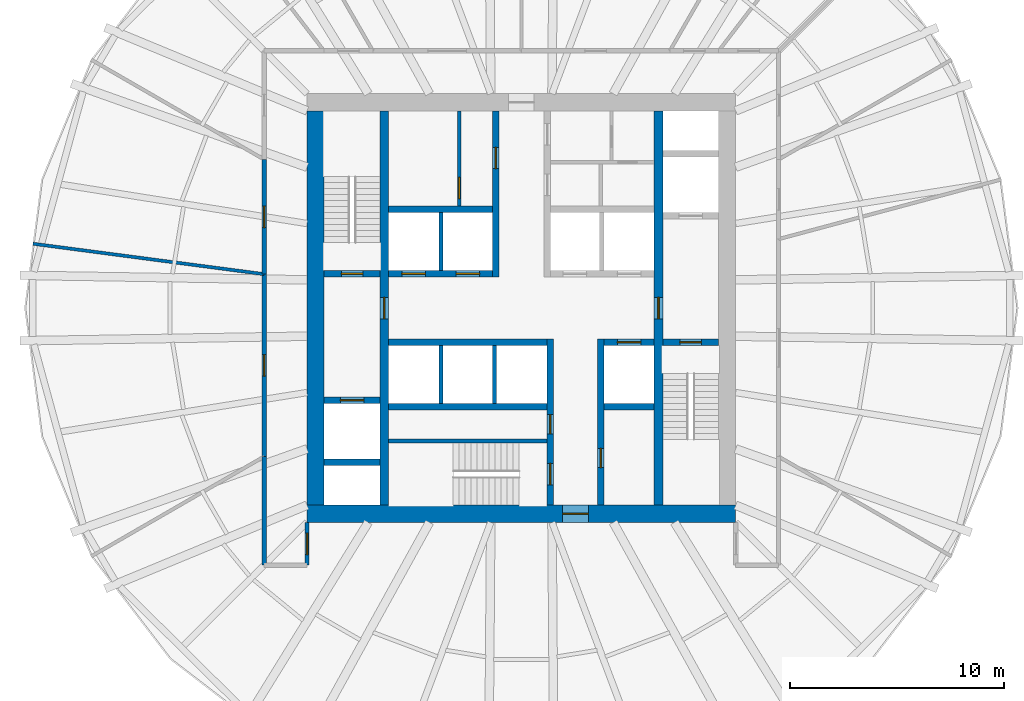
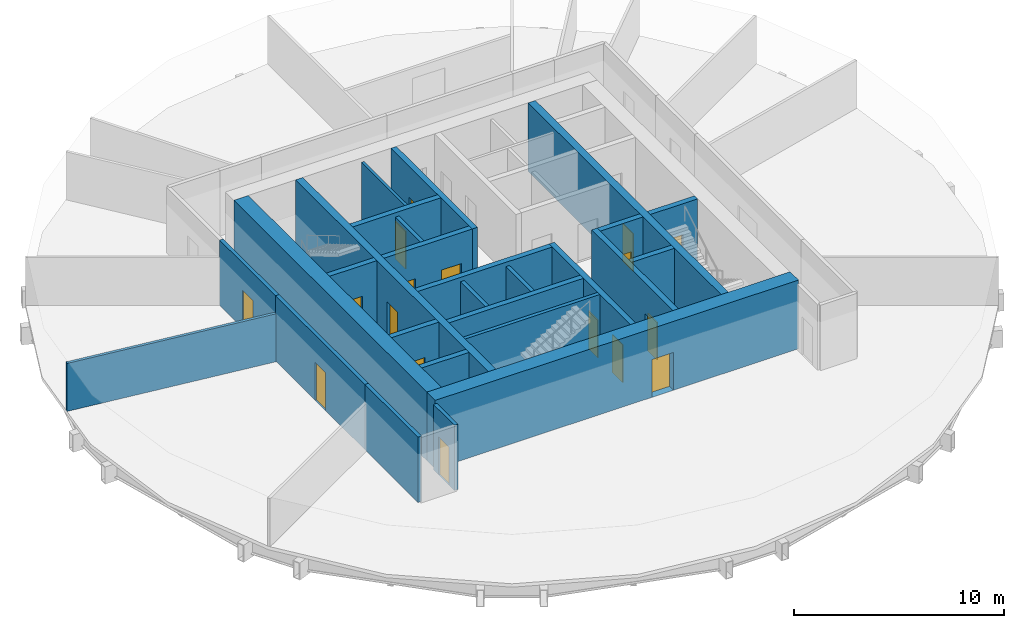
# One storey, part 3 of 6: 27 walls, 17 doors, 17 openings.
"""IFC4 building model written with IfcOpenShell, lengths in metres."""

import ifcopenshell
import ifcopenshell.guid

model = None  # the IFC model being written
_history = None  # IfcOwnerHistory: only IFC2X3 demands one
_inside = {}  # id of a spatial element -> (the spatial element, [elements in it])
_under = {}  # id of a project, library or spatial element -> (it, [spatial elements below it])
_declared = {}  # id of a project -> (the project, [libraries it declares])
_typed = {}  # id of a type object -> (the type object, [elements of that type])
_made_of = {}  # id of a material, layer set ... -> (it, [elements and type objects made of it])


def new_model(schema):
    """Start an empty IFC model of exactly this schema.

    Asked for "IFC4X3", IfcOpenShell would pick the latest addendum, in which some entities
    have other attributes; the version numbers below select the first issue.
    IFC2X3 requires an IfcOwnerHistory on every rooted entity: one is made here for all.
    """
    global model, _history
    if schema == "IFC4X3":
        model = ifcopenshell.file(schema_version=(4, 3, 0, 0))
    else:
        model = ifcopenshell.file(schema=schema)
    _inside.clear()
    _under.clear()
    _declared.clear()
    _typed.clear()
    _made_of.clear()
    _history = None
    if model.schema == "IFC2X3":
        org = make("IfcOrganization", Name="unknown")
        user = make(
            "IfcPersonAndOrganization",
            ThePerson=make("IfcPerson", FamilyName="unknown"),
            TheOrganization=org,
        )
        app = make(
            "IfcApplication",
            ApplicationDeveloper=org,
            Version="unknown",
            ApplicationFullName="unknown",
            ApplicationIdentifier="unknown",
        )
        _history = make(
            "IfcOwnerHistory",
            OwningUser=user,
            OwningApplication=app,
            ChangeAction="ADDED",
            CreationDate=0,
        )
    return model


def make(cls, **values):
    """One entity of the class cls with the attributes given. An attribute that is None is left unset."""
    return model.create_entity(
        cls, **{name: value for name, value in values.items() if value is not None}
    )


def rooted(cls, **values):
    """An entity with a GlobalId (a new one), such as an element, a storey or a relation."""
    return make(cls, GlobalId=ifcopenshell.guid.new(), OwnerHistory=_history, **values)


def si_unit(unit_type, name, prefix=None):
    """IfcSIUnit, for example si_unit("LENGTHUNIT", "METRE", prefix="MILLI")."""
    return make("IfcSIUnit", UnitType=unit_type, Prefix=prefix, Name=name)


def assignment(units):
    """IfcUnitAssignment: the units of a project."""
    return None if units is None else make("IfcUnitAssignment", Units=units)


def point(xyz):
    """IfcCartesianPoint."""
    return None if xyz is None else make("IfcCartesianPoint", Coordinates=xyz)


def direction(xyz):
    """IfcDirection."""
    return None if xyz is None else make("IfcDirection", DirectionRatios=xyz)


def frame(location, z_axis=None, x_axis=None):
    """IfcAxis2Placement3D, a coordinate frame: its origin and axes. An axis left out is left unset."""
    return make(
        "IfcAxis2Placement3D",
        Location=point(location),
        Axis=direction(z_axis),
        RefDirection=direction(x_axis),
    )


def frame_2d(location, x_axis=None):
    """IfcAxis2Placement2D, a coordinate frame in the plane: its origin and x axis."""
    return make(
        "IfcAxis2Placement2D", Location=point(location), RefDirection=direction(x_axis)
    )


def origin():
    """The frame at (0, 0, 0) with its axes left unset."""
    return frame((0.0, 0.0, 0.0))


def place(relative_to, where):
    """IfcLocalPlacement: puts the frame where relative to a parent placement (None: the world)."""
    return make(
        "IfcLocalPlacement", PlacementRelTo=relative_to, RelativePlacement=where
    )


def context(
    kind, dimensions, precision=None, world=None, true_north=None, identifier=None
):
    """IfcGeometricRepresentationContext, for example the 3D "Model" context."""
    return make(
        "IfcGeometricRepresentationContext",
        ContextIdentifier=identifier,
        ContextType=kind,
        CoordinateSpaceDimension=dimensions,
        Precision=precision,
        WorldCoordinateSystem=world,
        TrueNorth=true_north,
    )


def subcontext(parent, identifier, kind, view, scale=None):
    """IfcGeometricRepresentationSubContext, for example "Body" below "Model"."""
    return make(
        "IfcGeometricRepresentationSubContext",
        ContextIdentifier=identifier,
        ContextType=kind,
        ParentContext=parent,
        TargetScale=scale,
        TargetView=view,
    )


def project(units=None, contexts=None):
    """IfcProject with its units and contexts."""
    return rooted(
        "IfcProject",
        Name="project",
        RepresentationContexts=contexts,
        UnitsInContext=assignment(units),
    )


def spatial(cls, under=None, at=None, **own):
    """A site, building, storey or space (cls), placed at a placement, below another one or the project."""
    s = rooted(cls, ObjectPlacement=at, **own)
    if under is not None:
        _under.setdefault(under.id(), (under, []))[1].append(s)
    return s


def profile(cls, at=None, kind="AREA", **sizes):
    """A parametric profile (cls). Its sizes go by their IFC names, for example OverallWidth=200.0."""
    return make(cls, ProfileType=kind, Position=at, **sizes)


def rectangle(**sizes):
    """IfcRectangleProfileDef."""
    return profile("IfcRectangleProfileDef", **sizes)


def extrude(swept, where, along, depth):
    """IfcExtrudedAreaSolid: the profile swept, set in the frame where, extruded along a direction by depth."""
    return make(
        "IfcExtrudedAreaSolid",
        SweptArea=swept,
        Position=where,
        ExtrudedDirection=direction(along),
        Depth=depth,
    )


def shape(context_of_items, identifier, shape_type, items):
    """IfcShapeRepresentation: the items that make up one representation, for example the "Body"."""
    return make(
        "IfcShapeRepresentation",
        ContextOfItems=context_of_items,
        RepresentationIdentifier=identifier,
        RepresentationType=shape_type,
        Items=items,
    )


def material(Name=None, Category=None):
    """IfcMaterial."""
    return make("IfcMaterial", Name=Name, Category=Category)


def layer(
    of_material, thickness, ventilated=None, Name=None, Category=None, Priority=None
):
    """IfcMaterialLayer: one layer of a wall or slab, of a material (None: an air gap)."""
    return make(
        "IfcMaterialLayer",
        Material=of_material,
        LayerThickness=thickness,
        IsVentilated=ventilated,
        Name=Name,
        Category=Category,
        Priority=Priority,
    )


def layer_set(layers, Name=None):
    """IfcMaterialLayerSet."""
    return make("IfcMaterialLayerSet", MaterialLayers=layers, LayerSetName=Name)


def made_of(thing, what):
    """Note that an element or type object is made of a material, layer set ...; save() writes the relation."""
    if what is not None:
        _made_of.setdefault(what.id(), (what, []))[1].append(thing)
    return thing


def type_object(cls, material=None, **own):
    """A type object (cls), such as IfcWallType, which elements share."""
    return made_of(rooted(cls, **own), material)


def element(
    cls,
    number,
    at=None,
    inside=None,
    cuts=None,
    type_object=None,
    material=None,
    context=None,
    identifier="Body",
    shape_type=None,
    held_by="IfcProductDefinitionShape",
    body=None,
    shapes=None,
    **own,
):
    """One element of the class cls, such as IfcWall. Its Tag is "e" and its number.

    at: its placement. inside: the storey or other place that contains it. cuts: it is an
    opening in that element (IfcRelVoidsElement). A single representation is given by context,
    identifier, shape_type and body (its items); several are given by shapes. held_by: the class
    of the entity that holds the representations. save() writes the other relations.
    """
    e = rooted(cls, Tag="e%d" % number, ObjectPlacement=at, **own)
    if body is not None:
        shapes = [shape(context, identifier, shape_type, body)]
    if shapes is not None:
        e.Representation = make(held_by, Representations=shapes)
    if inside is not None:
        _inside.setdefault(inside.id(), (inside, []))[1].append(e)
    if cuts is not None:
        rooted(
            "IfcRelVoidsElement", RelatingBuildingElement=cuts, RelatedOpeningElement=e
        )
    if type_object is not None:
        _typed.setdefault(type_object.id(), (type_object, []))[1].append(e)
    return made_of(e, material)


def fill(opening, filler):
    """IfcRelFillsElement: the door or window that sits in an opening."""
    return rooted(
        "IfcRelFillsElement",
        RelatingOpeningElement=opening,
        RelatedBuildingElement=filler,
    )


def aggregate(whole, parts):
    """IfcRelAggregates: a whole, such as a stair, and the parts it consists of."""
    return rooted("IfcRelAggregates", RelatingObject=whole, RelatedObjects=parts)


def save(model, path):
    """Write the relations noted so far, then the file.

    IfcRelAggregates (storeys below a building ...), IfcRelContainedInSpatialStructure (elements
    in a storey), IfcRelDefinesByType, IfcRelAssociatesMaterial and IfcRelDeclares: one each for
    every whole, place, type object, material and project.
    """
    for whole, parts in _under.values():
        aggregate(whole, parts)
    for where, things in _inside.values():
        rooted(
            "IfcRelContainedInSpatialStructure",
            RelatedElements=things,
            RelatingStructure=where,
        )
    for kind, things in _typed.values():
        rooted("IfcRelDefinesByType", RelatedObjects=things, RelatingType=kind)
    for what, things in _made_of.values():
        rooted("IfcRelAssociatesMaterial", RelatedObjects=things, RelatingMaterial=what)
    for by, libraries in _declared.values():
        rooted("IfcRelDeclares", RelatingContext=by, RelatedDefinitions=libraries)
    model.write(path)


model = new_model("IFC4")

# Units and contexts
model_context = context("Model", 3, precision=1e-05, world=origin(), true_north=direction((0.0, 1.0)))
body_context = subcontext(model_context, "Body", "Model", "MODEL_VIEW")
ifc_project = project(units=[si_unit("LENGTHUNIT", "METRE"), si_unit("AREAUNIT", "SQUARE_METRE"), si_unit("VOLUMEUNIT", "CUBIC_METRE"), si_unit("PLANEANGLEUNIT", "RADIAN"), si_unit("MASSUNIT", "GRAM", prefix="KILO")], contexts=[model_context])

# Site, building, storey
site_placement = place(None, origin())
site = spatial("IfcSite", under=ifc_project, at=site_placement, CompositionType="ELEMENT")
building_placement = place(site_placement, origin())
building = spatial("IfcBuilding", under=site, at=building_placement, Name="Golbaran Civic Tower", CompositionType="ELEMENT")
storey_placement = place(building_placement, frame((0.0, 0.0, 49.0)))
storey = spatial("IfcBuildingStorey", under=building, at=storey_placement, Name="L11", CompositionType="ELEMENT", Elevation=49.0)

# Wall, opening, door
ifc_material_1 = material(Name="Concrete C50/60", Category="concrete")
ifc_layer_1 = layer(ifc_material_1, 0.39990234375, Name="Concrete C50/60")
ifc_layer_set_1 = layer_set([ifc_layer_1], Name="Concrete C50/60")
wall_type_1 = type_object("IfcWallType", Name="CORE WALL CONCRETE 400", PredefinedType="SOLIDWALL", material=ifc_layer_set_1)
wall_1_placement = place(storey_placement, frame((-6.39990234375, -9.199951171875, 0.0), z_axis=(0.0, 0.0, 1.0), x_axis=(0.0, 1.0, 0.0)))
wall_1 = element("IfcWall", 1, at=wall_1_placement, inside=storey, type_object=wall_type_1, Name="Core wall IW L11", PredefinedType="SOLIDWALL", context=body_context, shape_type="SweptSolid", body=[
    extrude(rectangle(XDim=18.39990234375, YDim=0.39990234375, at=frame_2d((9.199951171875, 0.0))), origin(), (0.0, 0.0, 1.0), 4.0),
])
opening_1_placement = place(wall_1_placement, frame((8.699951171875, 0.0, 0.0)))
opening_1 = element("IfcOpeningElement", 2, at=opening_1_placement, cuts=wall_1, Name="Opening L11.FL1", PredefinedType="OPENING", context=body_context, shape_type="SweptSolid", body=[
    extrude(rectangle(XDim=1.0, YDim=2.199951171875, at=frame_2d((0.5, 1.10009765625))), frame((0.0, 0.2099609375, 0.0), z_axis=(0.0, -1.0, 0.0), x_axis=(1.0, 0.0, 0.0)), (0.0, 0.0, 1.0), 0.419921875),
])
ifc_material_2 = material(Name="Timber door set in steel frame", Category="steel")
door_type_1 = type_object("IfcDoorType", Name="STAIR DOOR 1000x2200", OperationType="SINGLE_SWING_LEFT", PredefinedType="DOOR", material=ifc_material_2)
door_1_placement = place(opening_1_placement, origin())
door_1 = element("IfcDoor", 3, at=door_1_placement, inside=storey, type_object=door_type_1, Name="Fire-fighting lobby FL1 door", OperationType="SINGLE_SWING_LEFT", OverallHeight=2.199951171875, OverallWidth=1.0, PredefinedType="DOOR", context=body_context, shape_type="SweptSolid", body=[
    extrude(rectangle(XDim=1.0, YDim=2.199951171875, at=frame_2d((0.5, 1.10009765625))), frame((0.0, 0.02490234375, 0.0), z_axis=(0.0, -1.0, 0.0), x_axis=(1.0, 0.0, 0.0)), (0.0, 0.0, 1.0), 0.050048828125),
])
fill(opening_1, door_1)

wall_2_placement = place(storey_placement, frame((6.39990234375, 9.199951171875, 0.0), z_axis=(0.0, 0.0, 1.0), x_axis=(0.0, -1.0, 0.0)))
wall_2 = element("IfcWall", 4, at=wall_2_placement, inside=storey, type_object=wall_type_1, Name="Core wall IE L11", PredefinedType="SOLIDWALL", context=body_context, shape_type="SweptSolid", body=[
    extrude(rectangle(XDim=18.39990234375, YDim=0.39990234375, at=frame_2d((9.199951171875, 0.0))), origin(), (0.0, 0.0, 1.0), 4.0),
])
opening_2_placement = place(wall_2_placement, frame((8.699951171875, 0.0, 0.0)))
opening_2 = element("IfcOpeningElement", 5, at=opening_2_placement, cuts=wall_2, Name="Opening L11.FL2", PredefinedType="OPENING", context=body_context, shape_type="SweptSolid", body=[
    extrude(rectangle(XDim=1.0, YDim=2.199951171875, at=frame_2d((0.5, 1.10009765625))), frame((0.0, 0.2099609375, 0.0), z_axis=(0.0, -1.0, 0.0), x_axis=(1.0, 0.0, 0.0)), (0.0, 0.0, 1.0), 0.419921875),
])
door_2_placement = place(opening_2_placement, origin())
door_2 = element("IfcDoor", 6, at=door_2_placement, inside=storey, type_object=door_type_1, Name="Fire-fighting lobby FL2 door", OperationType="SINGLE_SWING_RIGHT", OverallHeight=2.199951171875, OverallWidth=1.0, PredefinedType="DOOR", context=body_context, shape_type="SweptSolid", body=[
    extrude(rectangle(XDim=1.0, YDim=2.199951171875, at=frame_2d((0.5, 1.10009765625))), frame((0.0, 0.02490234375, 0.0), z_axis=(0.0, -1.0, 0.0), x_axis=(1.0, 0.0, 0.0)), (0.0, 0.0, 1.0), 0.050048828125),
])
fill(opening_2, door_2)

ifc_layer_2 = layer(ifc_material_1, 0.800048828125, Name="Concrete C50/60")
ifc_layer_set_2 = layer_set([ifc_layer_2], Name="Concrete C50/60")
wall_type_2 = type_object("IfcWallType", Name="CORE WALL CONCRETE 800", PredefinedType="SOLIDWALL", material=ifc_layer_set_2)
wall_3_placement = place(storey_placement, frame((10.0, -9.60009765625, 0.0), z_axis=(0.0, 0.0, 1.0), x_axis=(-1.0, 0.0, 0.0)))
wall_3 = element("IfcWall", 7, at=wall_3_placement, inside=storey, type_object=wall_type_2, Name="Core wall CS L11", PredefinedType="SOLIDWALL", context=body_context, shape_type="SweptSolid", body=[
    extrude(rectangle(XDim=20.0, YDim=0.800048828125, at=frame_2d((10.0, 0.0))), origin(), (0.0, 0.0, 1.0), 4.0),
])
opening_3_placement = place(wall_3_placement, frame((6.875, 0.0, 0.0)))
opening_3 = element("IfcOpeningElement", 8, at=opening_3_placement, cuts=wall_3, Name="Opening L11.CS", PredefinedType="OPENING", context=body_context, shape_type="SweptSolid", body=[
    extrude(rectangle(XDim=1.199951171875, YDim=2.199951171875, at=frame_2d((0.60009765625, 1.10009765625))), frame((0.0, 0.409912109375, 0.0), z_axis=(0.0, -1.0, 0.0), x_axis=(1.0, 0.0, 0.0)), (0.0, 0.0, 1.0), 0.820068359375),
])
door_type_2 = type_object("IfcDoorType", Name="CORE DOOR 1200x2200", OperationType="DOUBLE_DOOR_SINGLE_SWING", PredefinedType="DOOR", material=ifc_material_2)
door_3_placement = place(opening_3_placement, origin())
door_3 = element("IfcDoor", 9, at=door_3_placement, inside=storey, type_object=door_type_2, Name="Core door south", OperationType="DOUBLE_DOOR_SINGLE_SWING", OverallHeight=2.199951171875, OverallWidth=1.199951171875, PredefinedType="DOOR", context=body_context, shape_type="SweptSolid", body=[
    extrude(rectangle(XDim=1.199951171875, YDim=2.199951171875, at=frame_2d((0.60009765625, 1.10009765625))), frame((0.0, 0.02490234375, 0.0), z_axis=(0.0, -1.0, 0.0), x_axis=(1.0, 0.0, 0.0)), (0.0, 0.0, 1.0), 0.050048828125),
])
fill(opening_3, door_3)

# Wall
wall_4_placement = place(storey_placement, frame((-9.60009765625, 9.199951171875, 0.0), z_axis=(0.0, 0.0, 1.0), x_axis=(0.0, -1.0, 0.0)))
element("IfcWall", 10, at=wall_4_placement, inside=storey, type_object=wall_type_2, Name="Core wall CW L11", PredefinedType="SOLIDWALL", context=body_context, shape_type="SweptSolid", body=[
    extrude(rectangle(XDim=18.39990234375, YDim=0.800048828125, at=frame_2d((9.199951171875, 0.0))), origin(), (0.0, 0.0, 1.0), 4.0),
])

# Wall, opening, door
ifc_material_3 = material(Name="Gypsum board on steel studs, fire-rated", Category="steel")
ifc_layer_3 = layer(ifc_material_3, 0.199951171875, Name="Gypsum board on steel studs, fire-rated")
ifc_layer_set_3 = layer_set([ifc_layer_3], Name="Gypsum board on steel studs, fire-rated")
wall_type_3 = type_object("IfcWallType", Name="CORRIDOR WALL 200", PredefinedType="PARTITIONING", material=ifc_layer_set_3)
wall_5_placement = place(storey_placement, frame((-12.0, 6.92822265625, 0.0), z_axis=(0.0, 0.0, 1.0), x_axis=(0.0, -1.0, 0.0)))
wall_5 = element("IfcWall", 11, at=wall_5_placement, inside=storey, type_object=wall_type_3, Name="Corridor wall L11", PredefinedType="PARTITIONING", context=body_context, shape_type="SweptSolid", body=[
    extrude(rectangle(XDim=5.348388671875, YDim=0.199951171875, at=frame_2d((2.67431640625, 0.0))), origin(), (0.0, 0.0, 1.0), 3.800048828125),
])
opening_4_placement = place(wall_5_placement, frame((2.174072265625, 0.0, 0.0)))
opening_4 = element("IfcOpeningElement", 12, at=opening_4_placement, cuts=wall_5, Name="Opening L11.12", PredefinedType="OPENING", context=body_context, shape_type="SweptSolid", body=[
    extrude(rectangle(XDim=1.0, YDim=2.199951171875, at=frame_2d((0.5, 1.10009765625))), frame((0.0, 0.10986328125, 0.0), z_axis=(0.0, -1.0, 0.0), x_axis=(1.0, 0.0, 0.0)), (0.0, 0.0, 1.0), 0.219970703125),
])
door_type_3 = type_object("IfcDoorType", Name="OFFICE DOOR 1000x2200", OperationType="SINGLE_SWING_LEFT", PredefinedType="DOOR", material=ifc_material_2)
door_4_placement = place(opening_4_placement, origin())
door_4 = element("IfcDoor", 13, at=door_4_placement, inside=storey, type_object=door_type_3, Name="Interview Room door L11", OperationType="SINGLE_SWING_RIGHT", OverallHeight=2.199951171875, OverallWidth=1.0, PredefinedType="DOOR", context=body_context, shape_type="SweptSolid", body=[
    extrude(rectangle(XDim=1.0, YDim=2.199951171875, at=frame_2d((0.5, 1.10009765625))), frame((0.0, 0.02490234375, 0.0), z_axis=(0.0, -1.0, 0.0), x_axis=(1.0, 0.0, 0.0)), (0.0, 0.0, 1.0), 0.050048828125),
])
fill(opening_4, door_4)

wall_6_placement = place(storey_placement, frame((-12.0, 1.579833984375, 0.0), z_axis=(0.0, 0.0, 1.0), x_axis=(0.0, -1.0, 0.0)))
wall_6 = element("IfcWall", 14, at=wall_6_placement, inside=storey, type_object=wall_type_3, Name="Corridor wall L11", PredefinedType="PARTITIONING", context=body_context, shape_type="SweptSolid", body=[
    extrude(rectangle(XDim=8.508056640625, YDim=0.199951171875, at=frame_2d((4.25390625, 0.0))), origin(), (0.0, 0.0, 1.0), 3.800048828125),
])
opening_5_placement = place(wall_6_placement, frame((3.75390625, 0.0, 0.0)))
opening_5 = element("IfcOpeningElement", 15, at=opening_5_placement, cuts=wall_6, Name="Opening L11.13", PredefinedType="OPENING", context=body_context, shape_type="SweptSolid", body=[
    extrude(rectangle(XDim=1.0, YDim=2.199951171875, at=frame_2d((0.5, 1.10009765625))), frame((0.0, 0.10986328125, 0.0), z_axis=(0.0, -1.0, 0.0), x_axis=(1.0, 0.0, 0.0)), (0.0, 0.0, 1.0), 0.219970703125),
])
door_5_placement = place(opening_5_placement, origin())
door_5 = element("IfcDoor", 16, at=door_5_placement, inside=storey, type_object=door_type_3, Name="Interview Room door L11", OperationType="SINGLE_SWING_RIGHT", OverallHeight=2.199951171875, OverallWidth=1.0, PredefinedType="DOOR", context=body_context, shape_type="SweptSolid", body=[
    extrude(rectangle(XDim=1.0, YDim=2.199951171875, at=frame_2d((0.5, 1.10009765625))), frame((0.0, 0.02490234375, 0.0), z_axis=(0.0, -1.0, 0.0), x_axis=(1.0, 0.0, 0.0)), (0.0, 0.0, 1.0), 0.050048828125),
])
fill(opening_5, door_5)

# Wall
wall_7_placement = place(storey_placement, frame((-12.0, -6.92822265625, 0.0), z_axis=(0.0, 0.0, 1.0), x_axis=(0.0, -1.0, 0.0)))
element("IfcWall", 17, at=wall_7_placement, inside=storey, type_object=wall_type_3, Name="Corridor wall L11", PredefinedType="PARTITIONING", context=body_context, shape_type="SweptSolid", body=[
    extrude(rectangle(XDim=5.07177734375, YDim=0.199951171875, at=frame_2d((2.535888671875, 0.0))), origin(), (0.0, 0.0, 1.0), 3.800048828125),
])

# Wall, opening, door
wall_8_placement = place(storey_placement, frame((-10.0, -10.0, 0.0), z_axis=(0.0, 0.0, 1.0), x_axis=(0.0, -1.0, 0.0)))
wall_8 = element("IfcWall", 18, at=wall_8_placement, inside=storey, type_object=wall_type_3, Name="Corridor end wall L11", PredefinedType="PARTITIONING", context=body_context, shape_type="SweptSolid", body=[
    extrude(rectangle(XDim=2.0, YDim=0.199951171875, at=frame_2d((1.0, 0.0))), origin(), (0.0, 0.0, 1.0), 3.800048828125),
])
opening_6_placement = place(wall_8_placement, frame((0.5, 0.0, 0.0)))
opening_6 = element("IfcOpeningElement", 19, at=opening_6_placement, cuts=wall_8, Name="Opening L11.16", PredefinedType="OPENING", context=body_context, shape_type="SweptSolid", body=[
    extrude(rectangle(XDim=1.0, YDim=2.199951171875, at=frame_2d((0.5, 1.10009765625))), frame((0.0, 0.10986328125, 0.0), z_axis=(0.0, -1.0, 0.0), x_axis=(1.0, 0.0, 0.0)), (0.0, 0.0, 1.0), 0.219970703125),
])
door_6_placement = place(opening_6_placement, origin())
door_6 = element("IfcDoor", 20, at=door_6_placement, inside=storey, type_object=door_type_3, Name="Open Office door L11", OperationType="SINGLE_SWING_RIGHT", OverallHeight=2.199951171875, OverallWidth=1.0, PredefinedType="DOOR", context=body_context, shape_type="SweptSolid", body=[
    extrude(rectangle(XDim=1.0, YDim=2.199951171875, at=frame_2d((0.5, 1.10009765625))), frame((0.0, 0.02490234375, 0.0), z_axis=(0.0, -1.0, 0.0), x_axis=(1.0, 0.0, 0.0)), (0.0, 0.0, 1.0), 0.050048828125),
])
fill(opening_6, door_6)

# Walls
ifc_material_4 = material(Name="Concrete block", Category="concrete")
ifc_layer_4 = layer(ifc_material_4, 0.199951171875, Name="Concrete block")
ifc_layer_set_4 = layer_set([ifc_layer_4], Name="Concrete block")
wall_type_4 = type_object("IfcWallType", Name="LIFT SEPARATOR WALL 200", PredefinedType="SOLIDWALL", material=ifc_layer_set_4)
for number, where, z_axis, x_axis, name in (
    (21, (-3.75, 1.75, 0.0), (0.0, 0.0, 1.0), (0.0, 1.0, 0.0), "Core partition SNW L11"),
    (22, (-3.75, -1.75, 0.0), (0.0, 0.0, 1.0), (0.0, -1.0, 0.0), "Core partition SSW L11"),
    (23, (-1.25, -1.75, 0.0), (0.0, 0.0, 1.0), (0.0, -1.0, 0.0), "Core partition SSM L11"),
):
    element("IfcWall", number, at=place(storey_placement, frame(where, z_axis=z_axis, x_axis=x_axis)), inside=storey, type_object=wall_type_4, Name=name, PredefinedType="SOLIDWALL", context=body_context, shape_type="SweptSolid", body=[
        extrude(rectangle(XDim=2.699951171875, YDim=0.199951171875, at=frame_2d((1.35009765625, 0.0))), origin(), (0.0, 0.0, 1.0), 3.75),
    ])
ifc_material_5 = material(Name="Gypsum board on steel studs", Category="steel")
ifc_layer_5 = layer(ifc_material_5, 0.14990234375, Name="Gypsum board on steel studs")
ifc_layer_set_5 = layer_set([ifc_layer_5], Name="Gypsum board on steel studs")
wall_type_5 = type_object("IfcWallType", Name="OFFICE PARTITION 150", PredefinedType="PARTITIONING", material=ifc_layer_set_5)
wall_9_placement = place(storey_placement, frame((-12.0, 1.579833984375, 0.0), z_axis=(0.0, 0.0, 1.0), x_axis=(-0.991444897346, 0.130525918984, 0.0)))
element("IfcWall", 24, at=wall_9_placement, inside=storey, type_object=wall_type_5, Name="Partition 172.5 L11", PredefinedType="PARTITIONING", context=body_context, shape_type="SweptSolid", body=[
    extrude(rectangle(XDim=10.87841796875, YDim=0.14990234375, at=frame_2d((5.439208984375, 0.0))), origin(), (0.0, 0.0, 1.0), 2.7900390625),
])
ifc_layer_6 = layer(ifc_material_1, 0.199951171875, Name="Concrete C50/60")
ifc_layer_set_6 = layer_set([ifc_layer_6], Name="Concrete C50/60")
wall_type_6 = type_object("IfcWallType", Name="SHAFT WALL CONCRETE 200", PredefinedType="SOLIDWALL", material=ifc_layer_set_6)
wall_10_placement = place(storey_placement, frame((-6.199951171875, -6.199951171875, 0.0), z_axis=(0.0, 0.0, 1.0), x_axis=(1.0, 0.0, 0.0)))
element("IfcWall", 25, at=wall_10_placement, inside=storey, type_object=wall_type_6, Name="Core wall S3N L11", PredefinedType="SOLIDWALL", context=body_context, shape_type="SweptSolid", body=[
    extrude(rectangle(XDim=7.39990234375, YDim=0.199951171875, at=frame_2d((3.699951171875, 0.0))), origin(), (0.0, 0.0, 1.0), 4.0),
])

# Wall, openings, doors
ifc_layer_7 = layer(ifc_material_1, 0.300048828125, Name="Concrete C50/60")
ifc_layer_set_7 = layer_set([ifc_layer_7], Name="Concrete C50/60")
wall_type_7 = type_object("IfcWallType", Name="SHAFT WALL CONCRETE 300", PredefinedType="SOLIDWALL", material=ifc_layer_set_7)
wall_11_placement = place(storey_placement, frame((-6.199951171875, 1.60009765625, 0.0), z_axis=(0.0, 0.0, 1.0), x_axis=(1.0, 0.0, 0.0)))
wall_11 = element("IfcWall", 26, at=wall_11_placement, inside=storey, type_object=wall_type_7, Name="Core wall FNW L11", PredefinedType="SOLIDWALL", context=body_context, shape_type="SweptSolid", body=[
    extrude(rectangle(XDim=4.849853515625, YDim=0.300048828125, at=frame_2d((2.4248046875, 0.0))), origin(), (0.0, 0.0, 1.0), 4.0),
])
opening_7_placement = place(wall_11_placement, frame((0.625, 0.0, 0.0)))
opening_7 = element("IfcOpeningElement", 27, at=opening_7_placement, cuts=wall_11, Name="Opening L11.LD-Z1L", PredefinedType="OPENING", context=body_context, shape_type="SweptSolid", body=[
    extrude(rectangle(XDim=1.10009765625, YDim=2.199951171875, at=frame_2d((0.550048828125, 1.10009765625))), frame((0.0, 0.159912109375, 0.0), z_axis=(0.0, -1.0, 0.0), x_axis=(1.0, 0.0, 0.0)), (0.0, 0.0, 1.0), 0.320068359375),
])
opening_8_placement = place(wall_11_placement, frame((3.14990234375, 0.0, 0.0)))
opening_8 = element("IfcOpeningElement", 28, at=opening_8_placement, cuts=wall_11, Name="Opening L11.LD-Z2L", PredefinedType="OPENING", context=body_context, shape_type="SweptSolid", body=[
    extrude(rectangle(XDim=1.10009765625, YDim=2.199951171875, at=frame_2d((0.550048828125, 1.10009765625))), frame((0.0, 0.159912109375, 0.0), z_axis=(0.0, -1.0, 0.0), x_axis=(1.0, 0.0, 0.0)), (0.0, 0.0, 1.0), 0.320068359375),
])
ifc_material_6 = material(Name="Stainless steel", Category="steel")
door_type_4 = type_object("IfcDoorType", Name="LIFT LANDING DOOR 1100x2200", OperationType="SLIDING_TO_LEFT", PredefinedType="DOOR", material=ifc_material_6)
door_7_placement = place(opening_7_placement, origin())
door_7 = element("IfcDoor", 29, at=door_7_placement, inside=storey, type_object=door_type_4, Name="Lift landing door Z1L", OperationType="SLIDING_TO_LEFT", OverallHeight=2.199951171875, OverallWidth=1.10009765625, PredefinedType="DOOR", context=body_context, shape_type="SweptSolid", body=[
    extrude(rectangle(XDim=1.10009765625, YDim=2.199951171875, at=frame_2d((0.550048828125, 1.10009765625))), frame((0.0, 0.02490234375, 0.0), z_axis=(0.0, -1.0, 0.0), x_axis=(1.0, 0.0, 0.0)), (0.0, 0.0, 1.0), 0.050048828125),
])
fill(opening_7, door_7)
door_8_placement = place(opening_8_placement, origin())
door_8 = element("IfcDoor", 30, at=door_8_placement, inside=storey, type_object=door_type_4, Name="Lift landing door Z2L", OperationType="SLIDING_TO_LEFT", OverallHeight=2.199951171875, OverallWidth=1.10009765625, PredefinedType="DOOR", context=body_context, shape_type="SweptSolid", body=[
    extrude(rectangle(XDim=1.10009765625, YDim=2.199951171875, at=frame_2d((0.550048828125, 1.10009765625))), frame((0.0, 0.02490234375, 0.0), z_axis=(0.0, -1.0, 0.0), x_axis=(1.0, 0.0, 0.0)), (0.0, 0.0, 1.0), 0.050048828125),
])
fill(opening_8, door_8)

# Wall
wall_12_placement = place(storey_placement, frame((-6.199951171875, 4.60009765625, 0.0), z_axis=(0.0, 0.0, 1.0), x_axis=(1.0, 0.0, 0.0)))
element("IfcWall", 31, at=wall_12_placement, inside=storey, type_object=wall_type_7, Name="Core wall BNW L11", PredefinedType="SOLIDWALL", context=body_context, shape_type="SweptSolid", body=[
    extrude(rectangle(XDim=4.849853515625, YDim=0.300048828125, at=frame_2d((2.4248046875, 0.0))), origin(), (0.0, 0.0, 1.0), 4.0),
])

# Wall, opening, door
wall_13_placement = place(storey_placement, frame((-1.199951171875, 1.449951171875, 0.0), z_axis=(0.0, 0.0, 1.0), x_axis=(0.0, 1.0, 0.0)))
wall_13 = element("IfcWall", 32, at=wall_13_placement, inside=storey, type_object=wall_type_7, Name="Core wall PNW L11", PredefinedType="SOLIDWALL", context=body_context, shape_type="SweptSolid", body=[
    extrude(rectangle(XDim=7.75, YDim=0.300048828125, at=frame_2d((3.875, 0.0))), origin(), (0.0, 0.0, 1.0), 4.0),
])
opening_9_placement = place(wall_13_placement, frame((5.050048828125, 0.0, 0.0)))
opening_9 = element("IfcOpeningElement", 33, at=opening_9_placement, cuts=wall_13, Name="Opening L11.WCM", PredefinedType="OPENING", context=body_context, shape_type="SweptSolid", body=[
    extrude(rectangle(XDim=1.0, YDim=2.199951171875, at=frame_2d((0.5, 1.10009765625))), frame((0.0, 0.159912109375, 0.0), z_axis=(0.0, -1.0, 0.0), x_axis=(1.0, 0.0, 0.0)), (0.0, 0.0, 1.0), 0.320068359375),
])
door_type_5 = type_object("IfcDoorType", Name="TOILET DOOR 1000x2200", OperationType="SINGLE_SWING_LEFT", PredefinedType="DOOR", material=ifc_material_2)
door_9_placement = place(opening_9_placement, origin())
door_9 = element("IfcDoor", 34, at=door_9_placement, inside=storey, type_object=door_type_5, Name="North-west toilet block door", OperationType="SINGLE_SWING_RIGHT", OverallHeight=2.199951171875, OverallWidth=1.0, PredefinedType="DOOR", context=body_context, shape_type="SweptSolid", body=[
    extrude(rectangle(XDim=1.0, YDim=2.199951171875, at=frame_2d((0.5, 1.10009765625))), frame((0.0, 0.02490234375, 0.0), z_axis=(0.0, -1.0, 0.0), x_axis=(1.0, 0.0, 0.0)), (0.0, 0.0, 1.0), 0.050048828125),
])
fill(opening_9, door_9)

# Wall
wall_14_placement = place(storey_placement, frame((-6.199951171875, -1.60009765625, 0.0), z_axis=(0.0, 0.0, 1.0), x_axis=(1.0, 0.0, 0.0)))
element("IfcWall", 35, at=wall_14_placement, inside=storey, type_object=wall_type_7, Name="Core wall FSW L11", PredefinedType="SOLIDWALL", context=body_context, shape_type="SweptSolid", body=[
    extrude(rectangle(XDim=7.39990234375, YDim=0.300048828125, at=frame_2d((3.699951171875, 0.0))), origin(), (0.0, 0.0, 1.0), 4.0),
])

# Wall, opening, door
wall_15_placement = place(storey_placement, frame((3.85009765625, -1.60009765625, 0.0), z_axis=(0.0, 0.0, 1.0), x_axis=(1.0, 0.0, 0.0)))
wall_15 = element("IfcWall", 36, at=wall_15_placement, inside=storey, type_object=wall_type_7, Name="Core wall FSE L11", PredefinedType="SOLIDWALL", context=body_context, shape_type="SweptSolid", body=[
    extrude(rectangle(XDim=2.349853515625, YDim=0.300048828125, at=frame_2d((1.1748046875, 0.0))), origin(), (0.0, 0.0, 1.0), 4.0),
])
opening_10_placement = place(wall_15_placement, frame((0.625, 0.0, 0.0)))
opening_10 = element("IfcOpeningElement", 37, at=opening_10_placement, cuts=wall_15, Name="Opening L11.LD-V1", PredefinedType="OPENING", context=body_context, shape_type="SweptSolid", body=[
    extrude(rectangle(XDim=1.10009765625, YDim=2.199951171875, at=frame_2d((0.550048828125, 1.10009765625))), frame((0.0, 0.159912109375, 0.0), z_axis=(0.0, -1.0, 0.0), x_axis=(1.0, 0.0, 0.0)), (0.0, 0.0, 1.0), 0.320068359375),
])
door_10_placement = place(opening_10_placement, origin())
door_10 = element("IfcDoor", 38, at=door_10_placement, inside=storey, type_object=door_type_4, Name="Lift landing door V1", OperationType="SLIDING_TO_LEFT", OverallHeight=2.199951171875, OverallWidth=1.10009765625, PredefinedType="DOOR", context=body_context, shape_type="SweptSolid", body=[
    extrude(rectangle(XDim=1.10009765625, YDim=2.199951171875, at=frame_2d((0.550048828125, 1.10009765625))), frame((0.0, 0.02490234375, 0.0), z_axis=(0.0, -1.0, 0.0), x_axis=(1.0, 0.0, 0.0)), (0.0, 0.0, 1.0), 0.050048828125),
])
fill(opening_10, door_10)

# Walls
wall_16_placement = place(storey_placement, frame((-6.199951171875, -4.60009765625, 0.0), z_axis=(0.0, 0.0, 1.0), x_axis=(1.0, 0.0, 0.0)))
element("IfcWall", 39, at=wall_16_placement, inside=storey, type_object=wall_type_7, Name="Core wall BSW L11", PredefinedType="SOLIDWALL", context=body_context, shape_type="SweptSolid", body=[
    extrude(rectangle(XDim=7.39990234375, YDim=0.300048828125, at=frame_2d((3.699951171875, 0.0))), origin(), (0.0, 0.0, 1.0), 4.0),
])
wall_17_placement = place(storey_placement, frame((3.85009765625, -4.60009765625, 0.0), z_axis=(0.0, 0.0, 1.0), x_axis=(1.0, 0.0, 0.0)))
element("IfcWall", 40, at=wall_17_placement, inside=storey, type_object=wall_type_7, Name="Core wall BSE L11", PredefinedType="SOLIDWALL", context=body_context, shape_type="SweptSolid", body=[
    extrude(rectangle(XDim=2.349853515625, YDim=0.300048828125, at=frame_2d((1.1748046875, 0.0))), origin(), (0.0, 0.0, 1.0), 4.0),
])

# Wall, openings, doors
wall_18_placement = place(storey_placement, frame((1.35009765625, -1.449951171875, 0.0), z_axis=(0.0, 0.0, 1.0), x_axis=(0.0, -1.0, 0.0)))
wall_18 = element("IfcWall", 41, at=wall_18_placement, inside=storey, type_object=wall_type_7, Name="Core wall PSW L11", PredefinedType="SOLIDWALL", context=body_context, shape_type="SweptSolid", body=[
    extrude(rectangle(XDim=7.75, YDim=0.300048828125, at=frame_2d((3.875, 0.0))), origin(), (0.0, 0.0, 1.0), 4.0),
])
opening_11_placement = place(wall_18_placement, frame((5.800048828125, 0.0, 0.0)))
opening_11 = element("IfcOpeningElement", 42, at=opening_11_placement, cuts=wall_18, Name="Opening L11.S3", PredefinedType="OPENING", context=body_context, shape_type="SweptSolid", body=[
    extrude(rectangle(XDim=1.0, YDim=2.199951171875, at=frame_2d((0.5, 1.10009765625))), frame((0.0, 0.159912109375, 0.0), z_axis=(0.0, -1.0, 0.0), x_axis=(1.0, 0.0, 0.0)), (0.0, 0.0, 1.0), 0.320068359375),
])
opening_12_placement = place(wall_18_placement, frame((3.52490234375, 0.0, 0.0)))
opening_12 = element("IfcOpeningElement", 43, at=opening_12_placement, cuts=wall_18, Name="Opening L11.RE", PredefinedType="OPENING", context=body_context, shape_type="SweptSolid", body=[
    extrude(rectangle(XDim=0.89990234375, YDim=2.199951171875, at=frame_2d((0.449951171875, 1.10009765625))), frame((0.0, 0.159912109375, 0.0), z_axis=(0.0, -1.0, 0.0), x_axis=(1.0, 0.0, 0.0)), (0.0, 0.0, 1.0), 0.320068359375),
])
door_type_6 = type_object("IfcDoorType", Name="RISER DOOR 900x2200", OperationType="SINGLE_SWING_LEFT", PredefinedType="DOOR", material=ifc_material_2)
door_11_placement = place(opening_12_placement, origin())
door_11 = element("IfcDoor", 44, at=door_11_placement, inside=storey, type_object=door_type_6, Name="Electrical riser door", OperationType="SINGLE_SWING_RIGHT", OverallHeight=2.199951171875, OverallWidth=0.89990234375, PredefinedType="DOOR", context=body_context, shape_type="SweptSolid", body=[
    extrude(rectangle(XDim=0.89990234375, YDim=2.199951171875, at=frame_2d((0.449951171875, 1.10009765625))), frame((0.0, 0.02490234375, 0.0), z_axis=(0.0, -1.0, 0.0), x_axis=(1.0, 0.0, 0.0)), (0.0, 0.0, 1.0), 0.050048828125),
])
fill(opening_12, door_11)
door_12_placement = place(opening_11_placement, origin())
door_12 = element("IfcDoor", 45, at=door_12_placement, inside=storey, type_object=door_type_1, Name="Stair S3 door", OperationType="SINGLE_SWING_RIGHT", OverallHeight=2.199951171875, OverallWidth=1.0, PredefinedType="DOOR", context=body_context, shape_type="SweptSolid", body=[
    extrude(rectangle(XDim=1.0, YDim=2.199951171875, at=frame_2d((0.5, 1.10009765625))), frame((0.0, 0.02490234375, 0.0), z_axis=(0.0, -1.0, 0.0), x_axis=(1.0, 0.0, 0.0)), (0.0, 0.0, 1.0), 0.050048828125),
])
fill(opening_11, door_12)

# Wall, opening, door
wall_19_placement = place(storey_placement, frame((3.699951171875, -1.449951171875, 0.0), z_axis=(0.0, 0.0, 1.0), x_axis=(0.0, -1.0, 0.0)))
wall_19 = element("IfcWall", 46, at=wall_19_placement, inside=storey, type_object=wall_type_7, Name="Core wall PSE L11", PredefinedType="SOLIDWALL", context=body_context, shape_type="SweptSolid", body=[
    extrude(rectangle(XDim=7.75, YDim=0.300048828125, at=frame_2d((3.875, 0.0))), origin(), (0.0, 0.0, 1.0), 4.0),
])
opening_13_placement = place(wall_19_placement, frame((5.10009765625, 0.0, 0.0)))
opening_13 = element("IfcOpeningElement", 47, at=opening_13_placement, cuts=wall_19, Name="Opening L11.RM", PredefinedType="OPENING", context=body_context, shape_type="SweptSolid", body=[
    extrude(rectangle(XDim=0.89990234375, YDim=2.199951171875, at=frame_2d((0.449951171875, 1.10009765625))), frame((0.0, 0.159912109375, 0.0), z_axis=(0.0, -1.0, 0.0), x_axis=(1.0, 0.0, 0.0)), (0.0, 0.0, 1.0), 0.320068359375),
])
door_13_placement = place(opening_13_placement, origin())
door_13 = element("IfcDoor", 48, at=door_13_placement, inside=storey, type_object=door_type_6, Name="Mechanical riser door", OperationType="SINGLE_SWING_RIGHT", OverallHeight=2.199951171875, OverallWidth=0.89990234375, PredefinedType="DOOR", context=body_context, shape_type="SweptSolid", body=[
    extrude(rectangle(XDim=0.89990234375, YDim=2.199951171875, at=frame_2d((0.449951171875, 1.10009765625))), frame((0.0, 0.02490234375, 0.0), z_axis=(0.0, -1.0, 0.0), x_axis=(1.0, 0.0, 0.0)), (0.0, 0.0, 1.0), 0.050048828125),
])
fill(opening_13, door_13)

wall_20_placement = place(storey_placement, frame((-9.199951171875, 1.60009765625, 0.0), z_axis=(0.0, 0.0, 1.0), x_axis=(1.0, 0.0, 0.0)))
wall_20 = element("IfcWall", 49, at=wall_20_placement, inside=storey, type_object=wall_type_7, Name="Core wall XW1 L11", PredefinedType="SOLIDWALL", context=body_context, shape_type="SweptSolid", body=[
    extrude(rectangle(XDim=2.599853515625, YDim=0.300048828125, at=frame_2d((1.2998046875, 0.0))), origin(), (0.0, 0.0, 1.0), 4.0),
])
opening_14_placement = place(wall_20_placement, frame((0.800048828125, 0.0, 0.0)))
opening_14 = element("IfcOpeningElement", 50, at=opening_14_placement, cuts=wall_20, Name="Opening L11.S1", PredefinedType="OPENING", context=body_context, shape_type="SweptSolid", body=[
    extrude(rectangle(XDim=1.0, YDim=2.199951171875, at=frame_2d((0.5, 1.10009765625))), frame((0.0, 0.159912109375, 0.0), z_axis=(0.0, -1.0, 0.0), x_axis=(1.0, 0.0, 0.0)), (0.0, 0.0, 1.0), 0.320068359375),
])
door_14_placement = place(opening_14_placement, origin())
door_14 = element("IfcDoor", 51, at=door_14_placement, inside=storey, type_object=door_type_1, Name="Stair S1 door", OperationType="SINGLE_SWING_LEFT", OverallHeight=2.199951171875, OverallWidth=1.0, PredefinedType="DOOR", context=body_context, shape_type="SweptSolid", body=[
    extrude(rectangle(XDim=1.0, YDim=2.199951171875, at=frame_2d((0.5, 1.10009765625))), frame((0.0, 0.02490234375, 0.0), z_axis=(0.0, -1.0, 0.0), x_axis=(1.0, 0.0, 0.0)), (0.0, 0.0, 1.0), 0.050048828125),
])
fill(opening_14, door_14)

wall_21_placement = place(storey_placement, frame((6.60009765625, -1.60009765625, 0.0), z_axis=(0.0, 0.0, 1.0), x_axis=(1.0, 0.0, 0.0)))
wall_21 = element("IfcWall", 52, at=wall_21_placement, inside=storey, type_object=wall_type_7, Name="Core wall XE1 L11", PredefinedType="SOLIDWALL", context=body_context, shape_type="SweptSolid", body=[
    extrude(rectangle(XDim=2.599853515625, YDim=0.300048828125, at=frame_2d((1.2998046875, 0.0))), origin(), (0.0, 0.0, 1.0), 4.0),
])
opening_15_placement = place(wall_21_placement, frame((0.800048828125, 0.0, 0.0)))
opening_15 = element("IfcOpeningElement", 53, at=opening_15_placement, cuts=wall_21, Name="Opening L11.S2", PredefinedType="OPENING", context=body_context, shape_type="SweptSolid", body=[
    extrude(rectangle(XDim=1.0, YDim=2.199951171875, at=frame_2d((0.5, 1.10009765625))), frame((0.0, 0.159912109375, 0.0), z_axis=(0.0, -1.0, 0.0), x_axis=(1.0, 0.0, 0.0)), (0.0, 0.0, 1.0), 0.320068359375),
])
door_15_placement = place(opening_15_placement, origin())
door_15 = element("IfcDoor", 54, at=door_15_placement, inside=storey, type_object=door_type_1, Name="Stair S2 door", OperationType="SINGLE_SWING_LEFT", OverallHeight=2.199951171875, OverallWidth=1.0, PredefinedType="DOOR", context=body_context, shape_type="SweptSolid", body=[
    extrude(rectangle(XDim=1.0, YDim=2.199951171875, at=frame_2d((0.5, 1.10009765625))), frame((0.0, 0.02490234375, 0.0), z_axis=(0.0, -1.0, 0.0), x_axis=(1.0, 0.0, 0.0)), (0.0, 0.0, 1.0), 0.050048828125),
])
fill(opening_15, door_15)

wall_22_placement = place(storey_placement, frame((-9.199951171875, -4.300048828125, 0.0), z_axis=(0.0, 0.0, 1.0), x_axis=(1.0, 0.0, 0.0)))
wall_22 = element("IfcWall", 55, at=wall_22_placement, inside=storey, type_object=wall_type_7, Name="Core wall XW2 L11", PredefinedType="SOLIDWALL", context=body_context, shape_type="SweptSolid", body=[
    extrude(rectangle(XDim=2.599853515625, YDim=0.300048828125, at=frame_2d((1.2998046875, 0.0))), origin(), (0.0, 0.0, 1.0), 4.0),
])
opening_16_placement = place(wall_22_placement, frame((0.75, 0.0, 0.0)))
opening_16 = element("IfcOpeningElement", 56, at=opening_16_placement, cuts=wall_22, Name="Opening L11.LD-F1", PredefinedType="OPENING", context=body_context, shape_type="SweptSolid", body=[
    extrude(rectangle(XDim=1.10009765625, YDim=2.199951171875, at=frame_2d((0.550048828125, 1.10009765625))), frame((0.0, 0.159912109375, 0.0), z_axis=(0.0, -1.0, 0.0), x_axis=(1.0, 0.0, 0.0)), (0.0, 0.0, 1.0), 0.320068359375),
])
door_16_placement = place(opening_16_placement, origin())
door_16 = element("IfcDoor", 57, at=door_16_placement, inside=storey, type_object=door_type_4, Name="Lift landing door F1", OperationType="SLIDING_TO_LEFT", OverallHeight=2.199951171875, OverallWidth=1.10009765625, PredefinedType="DOOR", context=body_context, shape_type="SweptSolid", body=[
    extrude(rectangle(XDim=1.10009765625, YDim=2.199951171875, at=frame_2d((0.550048828125, 1.10009765625))), frame((0.0, 0.02490234375, 0.0), z_axis=(0.0, -1.0, 0.0), x_axis=(1.0, 0.0, 0.0)), (0.0, 0.0, 1.0), 0.050048828125),
])
fill(opening_16, door_16)

# Wall
wall_23_placement = place(storey_placement, frame((-9.199951171875, -7.199951171875, 0.0), z_axis=(0.0, 0.0, 1.0), x_axis=(1.0, 0.0, 0.0)))
element("IfcWall", 58, at=wall_23_placement, inside=storey, type_object=wall_type_7, Name="Core wall XW3 L11", PredefinedType="SOLIDWALL", context=body_context, shape_type="SweptSolid", body=[
    extrude(rectangle(XDim=2.599853515625, YDim=0.300048828125, at=frame_2d((1.2998046875, 0.0))), origin(), (0.0, 0.0, 1.0), 4.0),
])

# Wall, opening, door
ifc_material_7 = material(Name="Moisture-resistant gypsum board on steel studs", Category="steel")
ifc_layer_8 = layer(ifc_material_7, 0.14990234375, Name="Moisture-resistant gypsum board on steel studs")
ifc_layer_set_8 = layer_set([ifc_layer_8], Name="Moisture-resistant gypsum board on steel studs")
wall_type_8 = type_object("IfcWallType", Name="TOILET BLOCK PARTITION 150", PredefinedType="PARTITIONING", material=ifc_layer_set_8)
wall_24_placement = place(storey_placement, frame((-2.89990234375, 4.75, 0.0), z_axis=(0.0, 0.0, 1.0), x_axis=(0.0, 1.0, 0.0)))
wall_24 = element("IfcWall", 59, at=wall_24_placement, inside=storey, type_object=wall_type_8, Name="Toilet block partition MWL L11", PredefinedType="PARTITIONING", context=body_context, shape_type="SweptSolid", body=[
    extrude(rectangle(XDim=4.449951171875, YDim=0.14990234375, at=frame_2d((2.22509765625, 0.0))), origin(), (0.0, 0.0, 1.0), 3.75),
])
opening_17_placement = place(wall_24_placement, frame((0.35009765625, 0.0, 0.0)))
opening_17 = element("IfcOpeningElement", 60, at=opening_17_placement, cuts=wall_24, Name="Opening L11.14", PredefinedType="OPENING", context=body_context, shape_type="SweptSolid", body=[
    extrude(rectangle(XDim=1.0, YDim=2.199951171875, at=frame_2d((0.5, 1.10009765625))), frame((0.0, 0.0849609375, 0.0), z_axis=(0.0, -1.0, 0.0), x_axis=(1.0, 0.0, 0.0)), (0.0, 0.0, 1.0), 0.169921875),
])
door_17_placement = place(opening_17_placement, origin())
door_17 = element("IfcDoor", 61, at=door_17_placement, inside=storey, type_object=door_type_5, Name="Male WC door", OperationType="SINGLE_SWING_LEFT", OverallHeight=2.199951171875, OverallWidth=1.0, PredefinedType="DOOR", context=body_context, shape_type="SweptSolid", body=[
    extrude(rectangle(XDim=1.0, YDim=2.199951171875, at=frame_2d((0.5, 1.10009765625))), frame((0.0, 0.02490234375, 0.0), z_axis=(0.0, -1.0, 0.0), x_axis=(1.0, 0.0, 0.0)), (0.0, 0.0, 1.0), 0.050048828125),
])
fill(opening_17, door_17)

save(model, "model.ifc")
